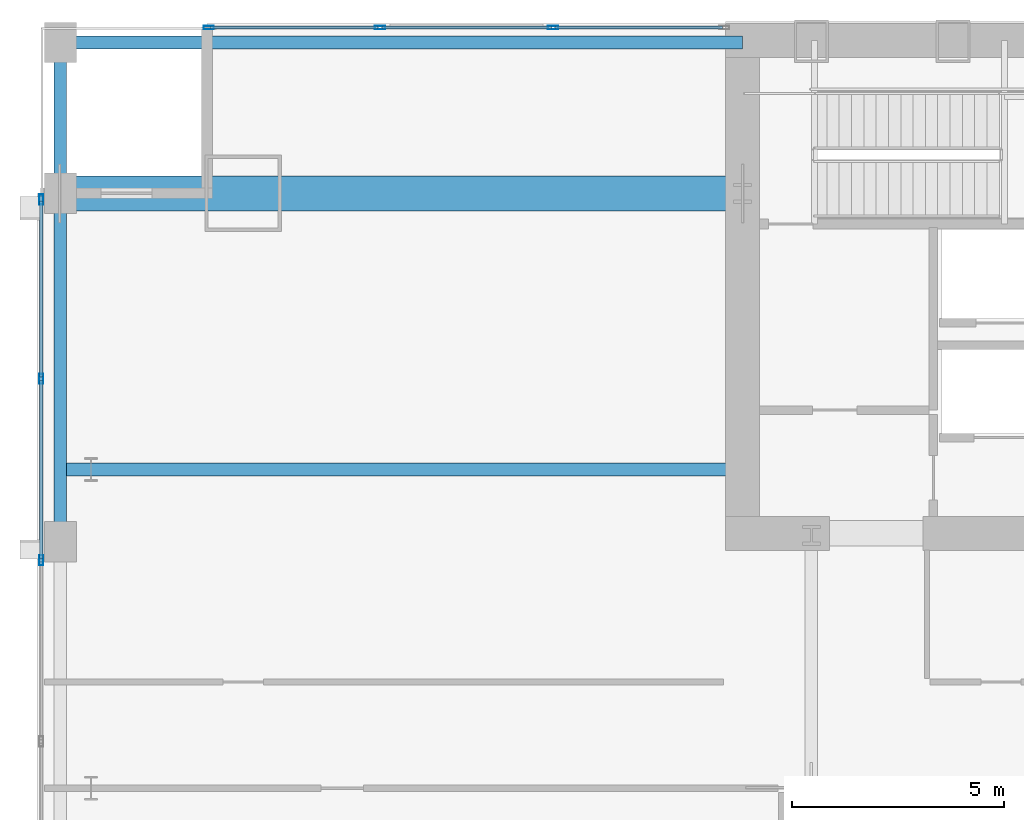
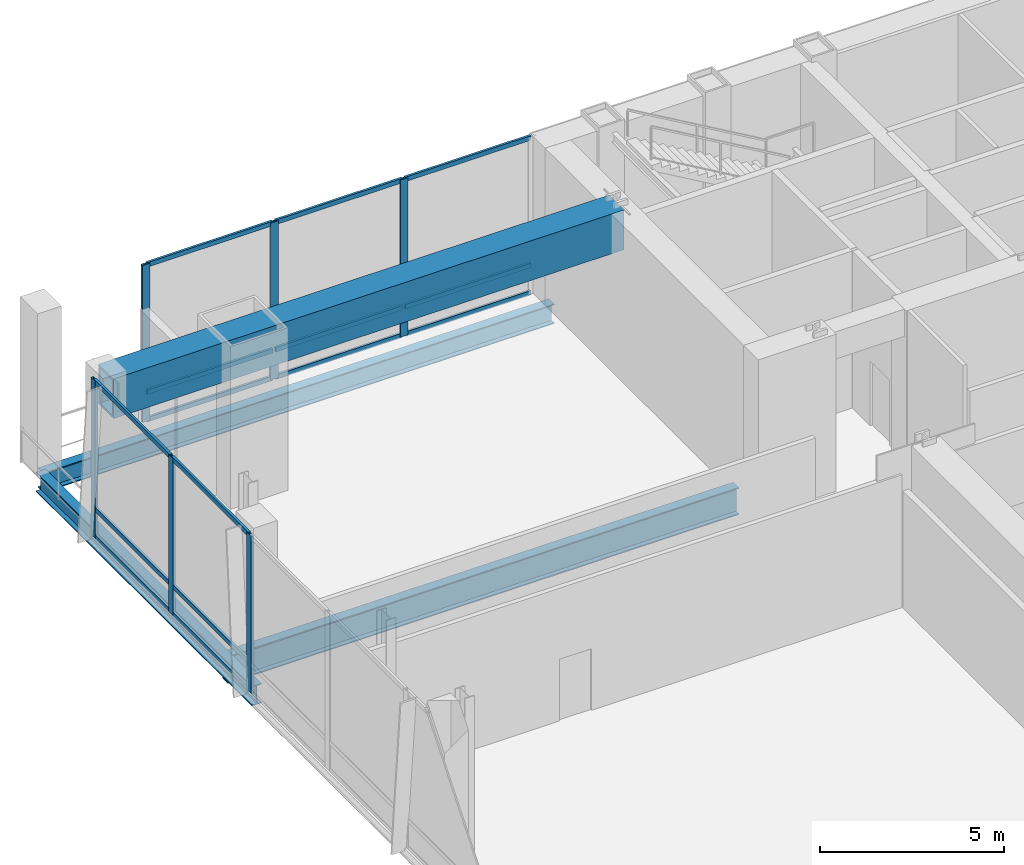
# One storey, part 10 of 26: 21 members, 4 beams, 2 elements without a shape of their own.
"""IFC4 building model written with IfcOpenShell, lengths in metres."""

import ifcopenshell
import ifcopenshell.guid

model = None  # the IFC model being written
_history = None  # IfcOwnerHistory: only IFC2X3 demands one
_inside = {}  # id of a spatial element -> (the spatial element, [elements in it])
_under = {}  # id of a project, library or spatial element -> (it, [spatial elements below it])
_declared = {}  # id of a project -> (the project, [libraries it declares])
_typed = {}  # id of a type object -> (the type object, [elements of that type])
_made_of = {}  # id of a material, layer set ... -> (it, [elements and type objects made of it])


def new_model(schema):
    """Start an empty IFC model of exactly this schema.

    Asked for "IFC4X3", IfcOpenShell would pick the latest addendum, in which some entities
    have other attributes; the version numbers below select the first issue.
    IFC2X3 requires an IfcOwnerHistory on every rooted entity: one is made here for all.
    """
    global model, _history
    if schema == "IFC4X3":
        model = ifcopenshell.file(schema_version=(4, 3, 0, 0))
    else:
        model = ifcopenshell.file(schema=schema)
    _inside.clear()
    _under.clear()
    _declared.clear()
    _typed.clear()
    _made_of.clear()
    _history = None
    if model.schema == "IFC2X3":
        org = make("IfcOrganization", Name="unknown")
        user = make(
            "IfcPersonAndOrganization",
            ThePerson=make("IfcPerson", FamilyName="unknown"),
            TheOrganization=org,
        )
        app = make(
            "IfcApplication",
            ApplicationDeveloper=org,
            Version="unknown",
            ApplicationFullName="unknown",
            ApplicationIdentifier="unknown",
        )
        _history = make(
            "IfcOwnerHistory",
            OwningUser=user,
            OwningApplication=app,
            ChangeAction="ADDED",
            CreationDate=0,
        )
    return model


def make(cls, **values):
    """One entity of the class cls with the attributes given. An attribute that is None is left unset."""
    return model.create_entity(
        cls, **{name: value for name, value in values.items() if value is not None}
    )


def rooted(cls, **values):
    """An entity with a GlobalId (a new one), such as an element, a storey or a relation."""
    return make(cls, GlobalId=ifcopenshell.guid.new(), OwnerHistory=_history, **values)


def si_unit(unit_type, name, prefix=None):
    """IfcSIUnit, for example si_unit("LENGTHUNIT", "METRE", prefix="MILLI")."""
    return make("IfcSIUnit", UnitType=unit_type, Prefix=prefix, Name=name)


def assignment(units):
    """IfcUnitAssignment: the units of a project."""
    return None if units is None else make("IfcUnitAssignment", Units=units)


def point(xyz):
    """IfcCartesianPoint."""
    return None if xyz is None else make("IfcCartesianPoint", Coordinates=xyz)


def direction(xyz):
    """IfcDirection."""
    return None if xyz is None else make("IfcDirection", DirectionRatios=xyz)


def frame(location, z_axis=None, x_axis=None):
    """IfcAxis2Placement3D, a coordinate frame: its origin and axes. An axis left out is left unset."""
    return make(
        "IfcAxis2Placement3D",
        Location=point(location),
        Axis=direction(z_axis),
        RefDirection=direction(x_axis),
    )


def frame_2d(location, x_axis=None):
    """IfcAxis2Placement2D, a coordinate frame in the plane: its origin and x axis."""
    return make(
        "IfcAxis2Placement2D", Location=point(location), RefDirection=direction(x_axis)
    )


def origin():
    """The frame at (0, 0, 0) with its axes left unset."""
    return frame((0.0, 0.0, 0.0))


def origin_2d():
    """The frame at (0, 0) in the plane with its x axis left unset."""
    return frame_2d((0.0, 0.0))


def place(relative_to, where):
    """IfcLocalPlacement: puts the frame where relative to a parent placement (None: the world)."""
    return make(
        "IfcLocalPlacement", PlacementRelTo=relative_to, RelativePlacement=where
    )


def context(
    kind, dimensions, precision=None, world=None, true_north=None, identifier=None
):
    """IfcGeometricRepresentationContext, for example the 3D "Model" context."""
    return make(
        "IfcGeometricRepresentationContext",
        ContextIdentifier=identifier,
        ContextType=kind,
        CoordinateSpaceDimension=dimensions,
        Precision=precision,
        WorldCoordinateSystem=world,
        TrueNorth=true_north,
    )


def subcontext(parent, identifier, kind, view, scale=None):
    """IfcGeometricRepresentationSubContext, for example "Body" below "Model"."""
    return make(
        "IfcGeometricRepresentationSubContext",
        ContextIdentifier=identifier,
        ContextType=kind,
        ParentContext=parent,
        TargetScale=scale,
        TargetView=view,
    )


def project(units=None, contexts=None):
    """IfcProject with its units and contexts."""
    return rooted(
        "IfcProject",
        Name="project",
        RepresentationContexts=contexts,
        UnitsInContext=assignment(units),
    )


def spatial(cls, under=None, at=None, **own):
    """A site, building, storey or space (cls), placed at a placement, below another one or the project."""
    s = rooted(cls, ObjectPlacement=at, **own)
    if under is not None:
        _under.setdefault(under.id(), (under, []))[1].append(s)
    return s


def profile(cls, at=None, kind="AREA", **sizes):
    """A parametric profile (cls). Its sizes go by their IFC names, for example OverallWidth=200.0."""
    return make(cls, ProfileType=kind, Position=at, **sizes)


def hollow_rectangle(**sizes):
    """IfcRectangleHollowProfileDef."""
    return profile("IfcRectangleHollowProfileDef", **sizes)


def i_section(**sizes):
    """IfcIShapeProfileDef."""
    return profile("IfcIShapeProfileDef", **sizes)


def extrude(swept, where, along, depth):
    """IfcExtrudedAreaSolid: the profile swept, set in the frame where, extruded along a direction by depth."""
    return make(
        "IfcExtrudedAreaSolid",
        SweptArea=swept,
        Position=where,
        ExtrudedDirection=direction(along),
        Depth=depth,
    )


def shape(context_of_items, identifier, shape_type, items):
    """IfcShapeRepresentation: the items that make up one representation, for example the "Body"."""
    return make(
        "IfcShapeRepresentation",
        ContextOfItems=context_of_items,
        RepresentationIdentifier=identifier,
        RepresentationType=shape_type,
        Items=items,
    )


def material(Name=None, Category=None):
    """IfcMaterial."""
    return make("IfcMaterial", Name=Name, Category=Category)


def material_profile(
    of_material, cross_section, Name=None, Category=None, Priority=None
):
    """IfcMaterialProfile: a cross section and its material."""
    return make(
        "IfcMaterialProfile",
        Name=Name,
        Material=of_material,
        Profile=cross_section,
        Priority=Priority,
        Category=Category,
    )


def profile_set(profiles, Name=None, composite=None):
    """IfcMaterialProfileSet."""
    return make(
        "IfcMaterialProfileSet",
        Name=Name,
        MaterialProfiles=profiles,
        CompositeProfile=composite,
    )


def made_of(thing, what):
    """Note that an element or type object is made of a material, layer set ...; save() writes the relation."""
    if what is not None:
        _made_of.setdefault(what.id(), (what, []))[1].append(thing)
    return thing


def type_object(cls, material=None, **own):
    """A type object (cls), such as IfcWallType, which elements share."""
    return made_of(rooted(cls, **own), material)


def element(
    cls,
    number,
    at=None,
    inside=None,
    cuts=None,
    type_object=None,
    material=None,
    context=None,
    identifier="Body",
    shape_type=None,
    held_by="IfcProductDefinitionShape",
    body=None,
    shapes=None,
    **own,
):
    """One element of the class cls, such as IfcWall. Its Tag is "e" and its number.

    at: its placement. inside: the storey or other place that contains it. cuts: it is an
    opening in that element (IfcRelVoidsElement). A single representation is given by context,
    identifier, shape_type and body (its items); several are given by shapes. held_by: the class
    of the entity that holds the representations. save() writes the other relations.
    """
    e = rooted(cls, Tag="e%d" % number, ObjectPlacement=at, **own)
    if body is not None:
        shapes = [shape(context, identifier, shape_type, body)]
    if shapes is not None:
        e.Representation = make(held_by, Representations=shapes)
    if inside is not None:
        _inside.setdefault(inside.id(), (inside, []))[1].append(e)
    if cuts is not None:
        rooted(
            "IfcRelVoidsElement", RelatingBuildingElement=cuts, RelatedOpeningElement=e
        )
    if type_object is not None:
        _typed.setdefault(type_object.id(), (type_object, []))[1].append(e)
    return made_of(e, material)


def aggregate(whole, parts):
    """IfcRelAggregates: a whole, such as a stair, and the parts it consists of."""
    return rooted("IfcRelAggregates", RelatingObject=whole, RelatedObjects=parts)


def save(model, path):
    """Write the relations noted so far, then the file.

    IfcRelAggregates (storeys below a building ...), IfcRelContainedInSpatialStructure (elements
    in a storey), IfcRelDefinesByType, IfcRelAssociatesMaterial and IfcRelDeclares: one each for
    every whole, place, type object, material and project.
    """
    for whole, parts in _under.values():
        aggregate(whole, parts)
    for where, things in _inside.values():
        rooted(
            "IfcRelContainedInSpatialStructure",
            RelatedElements=things,
            RelatingStructure=where,
        )
    for kind, things in _typed.values():
        rooted("IfcRelDefinesByType", RelatedObjects=things, RelatingType=kind)
    for what, things in _made_of.values():
        rooted("IfcRelAssociatesMaterial", RelatedObjects=things, RelatingMaterial=what)
    for by, libraries in _declared.values():
        rooted("IfcRelDeclares", RelatingContext=by, RelatedDefinitions=libraries)
    model.write(path)


model = new_model("IFC4")

# Units and contexts
model_context = context("Model", 3, precision=1e-05, world=origin(), true_north=direction((0.0, 1.0)))
body_context = subcontext(model_context, "Body", "Model", "MODEL_VIEW")
ifc_project = project(units=[si_unit("LENGTHUNIT", "METRE"), si_unit("AREAUNIT", "SQUARE_METRE"), si_unit("VOLUMEUNIT", "CUBIC_METRE"), si_unit("PLANEANGLEUNIT", "RADIAN"), si_unit("MASSUNIT", "GRAM", prefix="KILO")], contexts=[model_context])

# Site, building, storey
site_placement = place(None, origin())
site = spatial("IfcSite", under=ifc_project, at=site_placement, CompositionType="ELEMENT")
building_placement = place(site_placement, origin())
building = spatial("IfcBuilding", under=site, at=building_placement, Name="Khoronbel Lancet Exchange", CompositionType="ELEMENT")
storey_placement = place(building_placement, frame((0.0, 0.0, 20.39990234375)))
storey = spatial("IfcBuildingStorey", under=building, at=storey_placement, Name="L04", CompositionType="ELEMENT", Elevation=20.39990234375)

# Beams
ifc_material_1 = material(Name="Steel S355", Category="steel")
ifc_material_profile_1 = material_profile(ifc_material_1, i_section(OverallWidth=0.300048828125, OverallDepth=0.89990234375, WebThickness=0.0185546875, FlangeThickness=0.034912109375, at=origin_2d()), Name="HEB 900")
ifc_profile_set_1 = profile_set([ifc_material_profile_1], Name="Steel S355")
beam_type_1 = type_object("IfcBeamType", Name="BM-BG1", PredefinedType="BEAM", material=ifc_profile_set_1)
beam_1_placement = place(storey_placement, frame((0.550048828125, 43.199951171875, -0.669921875), z_axis=(1.0, 0.0, 0.0), x_axis=(0.0, 1.0, 0.0)))
element("IfcBeam", 1, at=beam_1_placement, inside=storey, type_object=beam_type_1, Name="Level L04 west lens tie girder LG3W", PredefinedType="BEAM", context=body_context, shape_type="SweptSolid", body=[
    extrude(i_section(OverallWidth=0.300048828125, OverallDepth=0.89990234375, WebThickness=0.0185546875, FlangeThickness=0.034912109375, at=origin_2d()), origin(), (0.0, 0.0, 1.0), 16.050048828125),
])
ifc_material_profile_2 = material_profile(ifc_material_1, i_section(OverallWidth=0.300048828125, OverallDepth=0.64990234375, WebThickness=0.01611328125, FlangeThickness=0.031005859375, at=origin_2d()), Name="HEB 650")
ifc_profile_set_2 = profile_set([ifc_material_profile_2], Name="Steel S355")
beam_type_2 = type_object("IfcBeamType", Name="BM-BSP1", PredefinedType="SPANDREL", material=ifc_profile_set_2)
beam_2_placement = place(storey_placement, frame((16.60009765625, 53.25, -0.544921875), z_axis=(-1.0, 0.0, 0.0), x_axis=(0.0, -1.0, 0.0)))
element("IfcBeam", 2, at=beam_2_placement, inside=storey, type_object=beam_type_2, Name="Level L04 perimeter spandrel beam SP14", PredefinedType="SPANDREL", context=body_context, shape_type="SweptSolid", body=[
    extrude(i_section(OverallWidth=0.300048828125, OverallDepth=0.64990234375, WebThickness=0.01611328125, FlangeThickness=0.031005859375, at=origin_2d()), origin(), (0.0, 0.0, 1.0), 16.050048828125),
])
beam_3_placement = place(storey_placement, frame((0.550048828125, 53.25, -0.544921875), z_axis=(0.0, -1.0, 0.0), x_axis=(1.0, 0.0, 0.0)))
element("IfcBeam", 3, at=beam_3_placement, inside=storey, type_object=beam_type_2, Name="Level L04 perimeter spandrel beam SP15", PredefinedType="SPANDREL", context=body_context, shape_type="SweptSolid", body=[
    extrude(i_section(OverallWidth=0.300048828125, OverallDepth=0.64990234375, WebThickness=0.01611328125, FlangeThickness=0.031005859375, at=origin_2d()), origin(), (0.0, 0.0, 1.0), 11.75),
])
ifc_material_2 = material(Name="Steel S460", Category="steel")
ifc_material_profile_3 = material_profile(ifc_material_2, hollow_rectangle(XDim=0.820068359375, YDim=1.320068359375, WallThickness=0.070068359375, at=origin_2d()), Name="BOX 820x1320x70")
ifc_profile_set_3 = profile_set([ifc_material_profile_3], Name="Steel S460")
beam_type_3 = type_object("IfcBeamType", Name="BM-TG4", PredefinedType="USERDEFINED", material=ifc_profile_set_3)
beam_4_placement = place(storey_placement, frame((0.550048828125, 49.699951171875, 4.56005859375), z_axis=(1.0, 0.0, 0.0), x_axis=(0.0, 1.0, 0.0)))
element("IfcBeam", 4, at=beam_4_placement, inside=storey, type_object=beam_type_3, Name="L04 podium-to-tower corner transfer girder NW", ObjectType="TRANSFER GIRDER", PredefinedType="USERDEFINED", context=body_context, shape_type="SweptSolid", body=[
    extrude(hollow_rectangle(XDim=0.820068359375, YDim=1.320068359375, WallThickness=0.070068359375, at=origin_2d()), origin(), (0.0, 0.0, 1.0), 16.050048828125),
])

# Curtain wall, members
ifc_material_3 = material(Name="Low-E Solar Control Insulating Glass", Category="glass")
curtain_wall_type = type_object("IfcCurtainWallType", Name="CW-5", PredefinedType="NOTDEFINED", material=ifc_material_3)
curtain_wall_1_placement = place(storey_placement, origin())
curtain_wall_1 = element("IfcCurtainWall", 5, at=curtain_wall_1_placement, inside=storey, type_object=curtain_wall_type, Name="Unitised curtain wall CW-L04-WEST", PredefinedType="NOTDEFINED")
ifc_material_4 = material(Name="Bronze-Anodised Aluminium 6063-T6", Category="aluminium")
ifc_material_profile_4 = material_profile(ifc_material_4, hollow_rectangle(XDim=0.0849609375, YDim=0.239990234375, WallThickness=0.006103515625, at=origin_2d()), Name="ALU MULLION 85x240")
ifc_profile_set_4 = profile_set([ifc_material_profile_4], Name="Bronze-Anodised Aluminium 6063-T6")
member_type_1 = type_object("IfcMemberType", Name="MEM-CWM1", PredefinedType="MULLION", material=ifc_profile_set_4)
member_1_placement = place(storey_placement, frame((0.10009765625, 49.5576171875, 0.0), z_axis=(0.0, 0.0, 1.0), x_axis=(1.0, 0.0, 0.0)))
member_1 = element("IfcMember", 6, at=member_1_placement, type_object=member_type_1, Name="CW5 mullion 1", PredefinedType="MULLION", context=body_context, shape_type="SweptSolid", body=[
    extrude(hollow_rectangle(XDim=0.0849609375, YDim=0.239990234375, WallThickness=0.006103515625, at=origin_2d()), origin(), (0.0, 0.0, 1.0), 5.22021484375),
])
member_2_placement = place(storey_placement, frame((0.10009765625, 45.333251953125, 0.0), z_axis=(0.0, 0.0, 1.0), x_axis=(1.0, 0.0, 0.0)))
member_2 = element("IfcMember", 7, at=member_2_placement, type_object=member_type_1, Name="CW5 mullion 2", PredefinedType="MULLION", context=body_context, shape_type="SweptSolid", body=[
    extrude(hollow_rectangle(XDim=0.0849609375, YDim=0.239990234375, WallThickness=0.006103515625, at=origin_2d()), origin(), (0.0, 0.0, 1.0), 5.22021484375),
])
member_3_placement = place(storey_placement, frame((0.10009765625, 41.066650390625, 0.0), z_axis=(0.0, 0.0, 1.0), x_axis=(1.0, 0.0, 0.0)))
member_3 = element("IfcMember", 8, at=member_3_placement, type_object=member_type_1, Name="CW5 mullion 3", PredefinedType="MULLION", context=body_context, shape_type="SweptSolid", body=[
    extrude(hollow_rectangle(XDim=0.0849609375, YDim=0.239990234375, WallThickness=0.006103515625, at=origin_2d()), origin(), (0.0, 0.0, 1.0), 5.22021484375),
])

curtain_wall_2_placement = place(storey_placement, origin())
curtain_wall_2 = element("IfcCurtainWall", 9, at=curtain_wall_2_placement, inside=storey, type_object=curtain_wall_type, Name="Unitised curtain wall CW-L04-NW", PredefinedType="NOTDEFINED")
member_4_placement = place(storey_placement, frame((4.04248046875, 53.60009765625, 0.0), z_axis=(0.0, 0.0, 1.0), x_axis=(0.0, 1.0, 0.0)))
member_4 = element("IfcMember", 10, at=member_4_placement, type_object=member_type_1, Name="CW5 mullion 1", PredefinedType="MULLION", context=body_context, shape_type="SweptSolid", body=[
    extrude(hollow_rectangle(XDim=0.0849609375, YDim=0.239990234375, WallThickness=0.006103515625, at=origin_2d()), origin(), (0.0, 0.0, 1.0), 5.22021484375),
])
member_5_placement = place(storey_placement, frame((8.0732421875, 53.60009765625, 0.0), z_axis=(0.0, 0.0, 1.0), x_axis=(0.0, 1.0, 0.0)))
member_5 = element("IfcMember", 11, at=member_5_placement, type_object=member_type_1, Name="CW5 mullion 2", PredefinedType="MULLION", context=body_context, shape_type="SweptSolid", body=[
    extrude(hollow_rectangle(XDim=0.0849609375, YDim=0.239990234375, WallThickness=0.006103515625, at=origin_2d()), origin(), (0.0, 0.0, 1.0), 5.22021484375),
])
member_6_placement = place(storey_placement, frame((12.146728515625, 53.60009765625, 0.0), z_axis=(0.0, 0.0, 1.0), x_axis=(0.0, 1.0, 0.0)))
member_6 = element("IfcMember", 12, at=member_6_placement, type_object=member_type_1, Name="CW5 mullion 3", PredefinedType="MULLION", context=body_context, shape_type="SweptSolid", body=[
    extrude(hollow_rectangle(XDim=0.0849609375, YDim=0.239990234375, WallThickness=0.006103515625, at=origin_2d()), origin(), (0.0, 0.0, 1.0), 5.22021484375),
])

# Member
ifc_material_profile_5 = material_profile(ifc_material_4, hollow_rectangle(XDim=0.074951171875, YDim=0.14990234375, WallThickness=0.00439453125, at=origin_2d()), Name="ALU TRANSOM 75x150")
ifc_profile_set_5 = profile_set([ifc_material_profile_5], Name="Bronze-Anodised Aluminium 6063-T6")
member_type_2 = type_object("IfcMemberType", Name="MEM-CWT2", PredefinedType="USERDEFINED", material=ifc_profile_set_5)
member_7_placement = place(storey_placement, frame((0.10009765625, 49.514892578125, 0.03759765625), z_axis=(0.0, -1.0, 0.0), x_axis=(1.0, 0.0, 0.0)))
member_7 = element("IfcMember", 13, at=member_7_placement, type_object=member_type_2, Name="CW5 transom 1.1", ObjectType="TRANSOM", PredefinedType="USERDEFINED", context=body_context, shape_type="SweptSolid", body=[
    extrude(hollow_rectangle(XDim=0.074951171875, YDim=0.14990234375, WallThickness=0.00439453125, at=origin_2d()), origin(), (0.0, 0.0, 1.0), 4.13916015625),
])

member_8_placement = place(storey_placement, frame((0.10009765625, 49.514892578125, 0.9501953125), z_axis=(0.0, -1.0, 0.0), x_axis=(1.0, 0.0, 0.0)))
member_8 = element("IfcMember", 14, at=member_8_placement, type_object=member_type_2, Name="CW5 transom 1.2", ObjectType="TRANSOM", PredefinedType="USERDEFINED", context=body_context, shape_type="SweptSolid", body=[
    extrude(hollow_rectangle(XDim=0.074951171875, YDim=0.14990234375, WallThickness=0.00439453125, at=origin_2d()), origin(), (0.0, 0.0, 1.0), 4.13916015625),
])

member_9_placement = place(storey_placement, frame((0.10009765625, 49.514892578125, 5.1826171875), z_axis=(0.0, -1.0, 0.0), x_axis=(1.0, 0.0, 0.0)))
member_9 = element("IfcMember", 15, at=member_9_placement, type_object=member_type_2, Name="CW5 transom 1.3", ObjectType="TRANSOM", PredefinedType="USERDEFINED", context=body_context, shape_type="SweptSolid", body=[
    extrude(hollow_rectangle(XDim=0.074951171875, YDim=0.14990234375, WallThickness=0.00439453125, at=origin_2d()), origin(), (0.0, 0.0, 1.0), 4.13916015625),
])

member_10_placement = place(storey_placement, frame((0.10009765625, 45.290771484375, 0.03759765625), z_axis=(0.0, -1.0, 0.0), x_axis=(1.0, 0.0, 0.0)))
member_10 = element("IfcMember", 16, at=member_10_placement, type_object=member_type_2, Name="CW5 transom 2.1", ObjectType="TRANSOM", PredefinedType="USERDEFINED", context=body_context, shape_type="SweptSolid", body=[
    extrude(hollow_rectangle(XDim=0.074951171875, YDim=0.14990234375, WallThickness=0.00439453125, at=origin_2d()), origin(), (0.0, 0.0, 1.0), 4.181640625),
])

member_11_placement = place(storey_placement, frame((0.10009765625, 45.290771484375, 0.9501953125), z_axis=(0.0, -1.0, 0.0), x_axis=(1.0, 0.0, 0.0)))
member_11 = element("IfcMember", 17, at=member_11_placement, type_object=member_type_2, Name="CW5 transom 2.2", ObjectType="TRANSOM", PredefinedType="USERDEFINED", context=body_context, shape_type="SweptSolid", body=[
    extrude(hollow_rectangle(XDim=0.074951171875, YDim=0.14990234375, WallThickness=0.00439453125, at=origin_2d()), origin(), (0.0, 0.0, 1.0), 4.181640625),
])

member_12_placement = place(storey_placement, frame((0.10009765625, 45.290771484375, 5.1826171875), z_axis=(0.0, -1.0, 0.0), x_axis=(1.0, 0.0, 0.0)))
member_12 = element("IfcMember", 18, at=member_12_placement, type_object=member_type_2, Name="CW5 transom 2.3", ObjectType="TRANSOM", PredefinedType="USERDEFINED", context=body_context, shape_type="SweptSolid", body=[
    extrude(hollow_rectangle(XDim=0.074951171875, YDim=0.14990234375, WallThickness=0.00439453125, at=origin_2d()), origin(), (0.0, 0.0, 1.0), 4.181640625),
])

aggregate(curtain_wall_1, [member_1, member_2, member_3, member_7, member_8, member_9, member_10, member_11, member_12])

member_13_placement = place(storey_placement, frame((4.0849609375, 53.60009765625, 0.03759765625), z_axis=(1.0, 0.0, 0.0), x_axis=(0.0, 1.0, 0.0)))
member_13 = element("IfcMember", 19, at=member_13_placement, type_object=member_type_2, Name="CW5 transom 1.1", ObjectType="TRANSOM", PredefinedType="USERDEFINED", context=body_context, shape_type="SweptSolid", body=[
    extrude(hollow_rectangle(XDim=0.074951171875, YDim=0.14990234375, WallThickness=0.00439453125, at=origin_2d()), origin(), (0.0, 0.0, 1.0), 3.94580078125),
])

member_14_placement = place(storey_placement, frame((4.0849609375, 53.60009765625, 0.9501953125), z_axis=(1.0, 0.0, 0.0), x_axis=(0.0, 1.0, 0.0)))
member_14 = element("IfcMember", 20, at=member_14_placement, type_object=member_type_2, Name="CW5 transom 1.2", ObjectType="TRANSOM", PredefinedType="USERDEFINED", context=body_context, shape_type="SweptSolid", body=[
    extrude(hollow_rectangle(XDim=0.074951171875, YDim=0.14990234375, WallThickness=0.00439453125, at=origin_2d()), origin(), (0.0, 0.0, 1.0), 3.94580078125),
])

member_15_placement = place(storey_placement, frame((4.0849609375, 53.60009765625, 5.1826171875), z_axis=(1.0, 0.0, 0.0), x_axis=(0.0, 1.0, 0.0)))
member_15 = element("IfcMember", 21, at=member_15_placement, type_object=member_type_2, Name="CW5 transom 1.3", ObjectType="TRANSOM", PredefinedType="USERDEFINED", context=body_context, shape_type="SweptSolid", body=[
    extrude(hollow_rectangle(XDim=0.074951171875, YDim=0.14990234375, WallThickness=0.00439453125, at=origin_2d()), origin(), (0.0, 0.0, 1.0), 3.94580078125),
])

member_16_placement = place(storey_placement, frame((8.11572265625, 53.60009765625, 0.03759765625), z_axis=(1.0, 0.0, 0.0), x_axis=(0.0, 1.0, 0.0)))
member_16 = element("IfcMember", 22, at=member_16_placement, type_object=member_type_2, Name="CW5 transom 2.1", ObjectType="TRANSOM", PredefinedType="USERDEFINED", context=body_context, shape_type="SweptSolid", body=[
    extrude(hollow_rectangle(XDim=0.074951171875, YDim=0.14990234375, WallThickness=0.00439453125, at=origin_2d()), origin(), (0.0, 0.0, 1.0), 3.988525390625),
])

member_17_placement = place(storey_placement, frame((8.11572265625, 53.60009765625, 0.9501953125), z_axis=(1.0, 0.0, 0.0), x_axis=(0.0, 1.0, 0.0)))
member_17 = element("IfcMember", 23, at=member_17_placement, type_object=member_type_2, Name="CW5 transom 2.2", ObjectType="TRANSOM", PredefinedType="USERDEFINED", context=body_context, shape_type="SweptSolid", body=[
    extrude(hollow_rectangle(XDim=0.074951171875, YDim=0.14990234375, WallThickness=0.00439453125, at=origin_2d()), origin(), (0.0, 0.0, 1.0), 3.988525390625),
])

member_18_placement = place(storey_placement, frame((8.11572265625, 53.60009765625, 5.1826171875), z_axis=(1.0, 0.0, 0.0), x_axis=(0.0, 1.0, 0.0)))
member_18 = element("IfcMember", 24, at=member_18_placement, type_object=member_type_2, Name="CW5 transom 2.3", ObjectType="TRANSOM", PredefinedType="USERDEFINED", context=body_context, shape_type="SweptSolid", body=[
    extrude(hollow_rectangle(XDim=0.074951171875, YDim=0.14990234375, WallThickness=0.00439453125, at=origin_2d()), origin(), (0.0, 0.0, 1.0), 3.988525390625),
])

member_19_placement = place(storey_placement, frame((12.189208984375, 53.60009765625, 0.03759765625), z_axis=(1.0, 0.0, 0.0), x_axis=(0.0, 1.0, 0.0)))
member_19 = element("IfcMember", 25, at=member_19_placement, type_object=member_type_2, Name="CW5 transom 3.1", ObjectType="TRANSOM", PredefinedType="USERDEFINED", context=body_context, shape_type="SweptSolid", body=[
    extrude(hollow_rectangle(XDim=0.074951171875, YDim=0.14990234375, WallThickness=0.00439453125, at=origin_2d()), origin(), (0.0, 0.0, 1.0), 3.94580078125),
])

member_20_placement = place(storey_placement, frame((12.189208984375, 53.60009765625, 0.9501953125), z_axis=(1.0, 0.0, 0.0), x_axis=(0.0, 1.0, 0.0)))
member_20 = element("IfcMember", 26, at=member_20_placement, type_object=member_type_2, Name="CW5 transom 3.2", ObjectType="TRANSOM", PredefinedType="USERDEFINED", context=body_context, shape_type="SweptSolid", body=[
    extrude(hollow_rectangle(XDim=0.074951171875, YDim=0.14990234375, WallThickness=0.00439453125, at=origin_2d()), origin(), (0.0, 0.0, 1.0), 3.94580078125),
])

member_21_placement = place(storey_placement, frame((12.189208984375, 53.60009765625, 5.1826171875), z_axis=(1.0, 0.0, 0.0), x_axis=(0.0, 1.0, 0.0)))
member_21 = element("IfcMember", 27, at=member_21_placement, type_object=member_type_2, Name="CW5 transom 3.3", ObjectType="TRANSOM", PredefinedType="USERDEFINED", context=body_context, shape_type="SweptSolid", body=[
    extrude(hollow_rectangle(XDim=0.074951171875, YDim=0.14990234375, WallThickness=0.00439453125, at=origin_2d()), origin(), (0.0, 0.0, 1.0), 3.94580078125),
])

aggregate(curtain_wall_2, [member_4, member_5, member_6, member_13, member_14, member_15, member_16, member_17, member_18, member_19, member_20, member_21])

save(model, "model.ifc")
